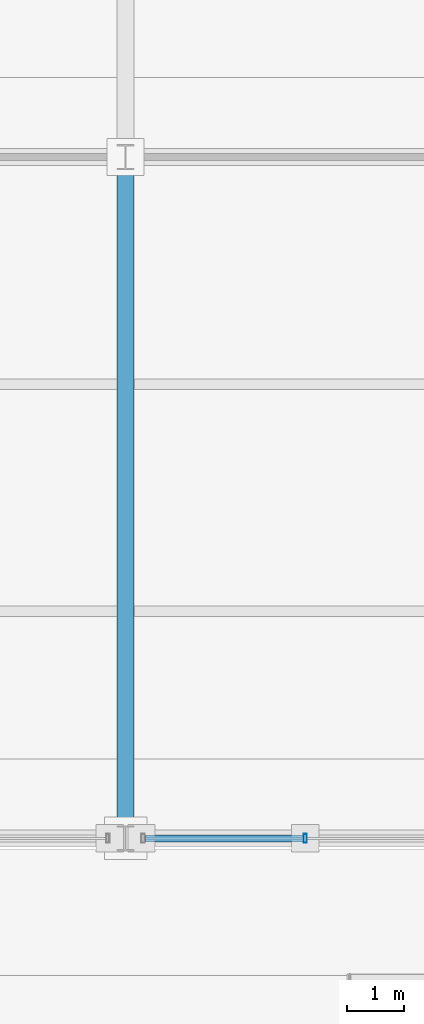
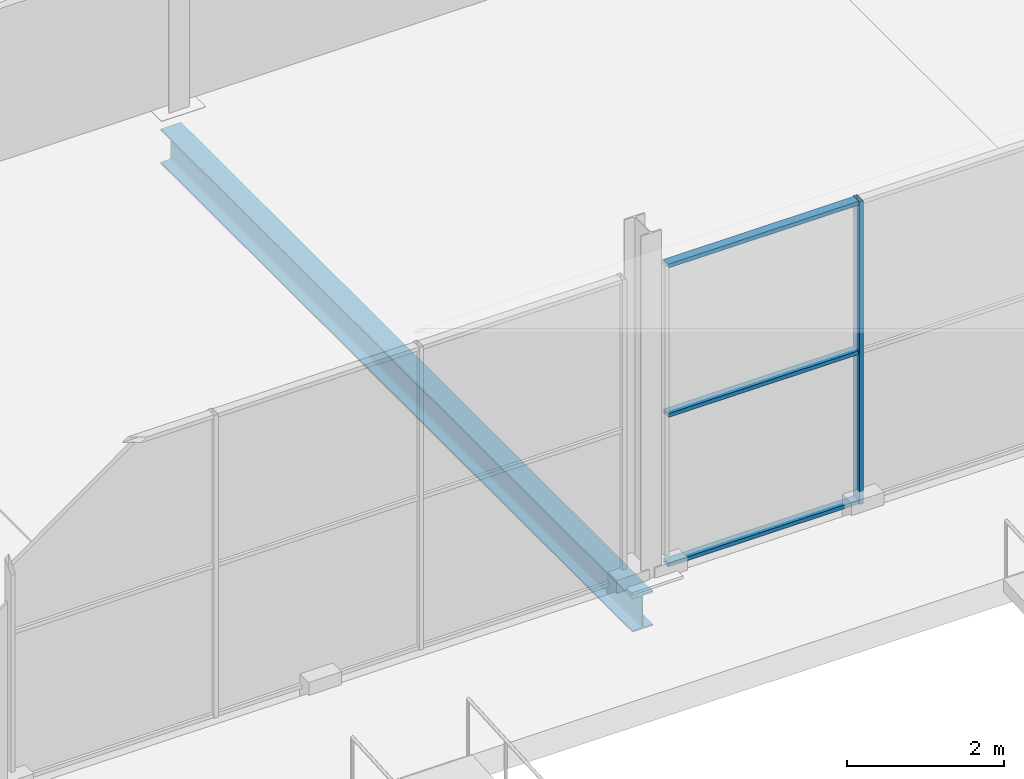
# One storey, part 36 of 196: 4 members, 1 beam, 1 element without a shape of its own.
"""IFC4 building model written with IfcOpenShell, lengths in metres."""

from ifc_helpers import new_model, si_unit, direction, frame, origin, origin_2d, place, context, subcontext, project, spatial, hollow_rectangle, i_section, extrude, material, material_profile, profile_set, type_object, element, aggregate, save


model = new_model("IFC4")

# Units and contexts
model_context = context("Model", 3, precision=1e-05, world=origin(), true_north=direction((0.0, 1.0)))
body_context = subcontext(model_context, "Body", "Model", "MODEL_VIEW")
ifc_project = project(units=[si_unit("LENGTHUNIT", "METRE"), si_unit("AREAUNIT", "SQUARE_METRE"), si_unit("VOLUMEUNIT", "CUBIC_METRE"), si_unit("PLANEANGLEUNIT", "RADIAN"), si_unit("MASSUNIT", "GRAM", prefix="KILO")], contexts=[model_context])

# Site, building, storey
site_placement = place(None, origin())
site = spatial("IfcSite", under=ifc_project, at=site_placement, CompositionType="ELEMENT")
building_placement = place(site_placement, origin())
building = spatial("IfcBuilding", under=site, at=building_placement, Name="Merenkruunu Market Hall", CompositionType="ELEMENT")
storey_placement = place(building_placement, origin())
storey = spatial("IfcBuildingStorey", under=building, at=storey_placement, Name="L00", CompositionType="ELEMENT", Elevation=0.0)

# Curtain wall, members
ifc_material_1 = material(Name="Powder-coated aluminium", Category="aluminium")
curtain_wall_type = type_object("IfcCurtainWallType", Name="Glazed Curtain Wall CW06", PredefinedType="USERDEFINED", material=ifc_material_1)
curtain_wall_placement = place(storey_placement, origin())
curtain_wall = element("IfcCurtainWall", 1, at=curtain_wall_placement, inside=storey, type_object=curtain_wall_type, Name="CW-L00-CWM01-031", ObjectType="GLAZED_FACADE", PredefinedType="USERDEFINED")
ifc_material_profile_1 = material_profile(ifc_material_1, hollow_rectangle(XDim=0.06005859375, YDim=0.159912109375, WallThickness=0.00390625, at=origin_2d()), Name="ALU 60x160x4")
ifc_profile_set_1 = profile_set([ifc_material_profile_1], Name="Powder-coated aluminium")
member_type_1 = type_object("IfcMemberType", Name="Curtain Wall Mullion CWM01", PredefinedType="MULLION", material=ifc_profile_set_1)
member_1_placement = place(storey_placement, frame((41.56494140625, 15.60009765625, 0.0), z_axis=(0.0, 0.0, 1.0), x_axis=(-1.0, 0.0, 0.0)))
member_1 = element("IfcMember", 2, at=member_1_placement, type_object=member_type_1, Name="CW06 mullion 2", PredefinedType="MULLION", context=body_context, shape_type="SweptSolid", body=[
    extrude(hollow_rectangle(XDim=0.06005859375, YDim=0.159912109375, WallThickness=0.00390625, at=origin_2d()), origin(), (0.0, 0.0, 1.0), 4.699951171875),
])
ifc_material_profile_2 = material_profile(ifc_material_1, hollow_rectangle(XDim=0.06005859375, YDim=0.125, WallThickness=0.00390625, at=origin_2d()), Name="ALU 60x125x4")
ifc_profile_set_2 = profile_set([ifc_material_profile_2], Name="Powder-coated aluminium")
member_type_2 = type_object("IfcMemberType", Name="Curtain Wall Transom CWT01", PredefinedType="USERDEFINED", material=ifc_profile_set_2)
member_2_placement = place(storey_placement, frame((41.534912109375, 15.60009765625, 0.030029296875), z_axis=(-1.0, 0.0, 0.0), x_axis=(0.0, 0.0, 1.0)))
member_2 = element("IfcMember", 3, at=member_2_placement, type_object=member_type_2, Name="CW06 transom 2.1", ObjectType="TRANSOM", PredefinedType="USERDEFINED", context=body_context, shape_type="SweptSolid", body=[
    extrude(hollow_rectangle(XDim=0.06005859375, YDim=0.125, WallThickness=0.00390625, at=origin_2d()), origin(), (0.0, 0.0, 1.0), 2.794921875),
])
member_3_placement = place(storey_placement, frame((41.534912109375, 15.60009765625, 2.35009765625), z_axis=(-1.0, 0.0, 0.0), x_axis=(0.0, 0.0, 1.0)))
member_3 = element("IfcMember", 4, at=member_3_placement, type_object=member_type_2, Name="CW06 transom 2.2", ObjectType="TRANSOM", PredefinedType="USERDEFINED", context=body_context, shape_type="SweptSolid", body=[
    extrude(hollow_rectangle(XDim=0.06005859375, YDim=0.125, WallThickness=0.00390625, at=origin_2d()), origin(), (0.0, 0.0, 1.0), 2.794921875),
])
member_4_placement = place(storey_placement, frame((41.534912109375, 15.60009765625, 4.669921875), z_axis=(-1.0, 0.0, 0.0), x_axis=(0.0, 0.0, 1.0)))
member_4 = element("IfcMember", 5, at=member_4_placement, type_object=member_type_2, Name="CW06 transom 2.3", ObjectType="TRANSOM", PredefinedType="USERDEFINED", context=body_context, shape_type="SweptSolid", body=[
    extrude(hollow_rectangle(XDim=0.06005859375, YDim=0.125, WallThickness=0.00390625, at=origin_2d()), origin(), (0.0, 0.0, 1.0), 2.794921875),
])
aggregate(curtain_wall, [member_1, member_2, member_3, member_4])

# Beam
ifc_material_2 = material(Name="Steel S355J2", Category="steel")
ifc_material_profile_3 = material_profile(ifc_material_2, i_section(OverallWidth=0.300048828125, OverallDepth=0.5400390625, WebThickness=0.012451171875, FlangeThickness=0.02392578125, FilletRadius=0.027099609375, at=origin_2d()), Name="HEA 550")
ifc_profile_set_3 = profile_set([ifc_material_profile_3], Name="Steel S355J2")
beam_type = type_object("IfcBeamType", Name="Primary Floor Girder B06", PredefinedType="BEAM", material=ifc_profile_set_3)
beam_placement = place(storey_placement, frame((38.39990234375, 15.60009765625, -0.610107421875), z_axis=(0.0, 1.0, 0.0), x_axis=(-1.0, 0.0, 0.0)))
element("IfcBeam", 6, at=beam_placement, inside=storey, type_object=beam_type, Name="BM-L00-B06-0167", PredefinedType="BEAM", context=body_context, shape_type="SweptSolid", body=[
    extrude(i_section(OverallWidth=0.300048828125, OverallDepth=0.5400390625, WebThickness=0.012451171875, FlangeThickness=0.02392578125, FilletRadius=0.027099609375, at=origin_2d()), origin(), (0.0, 0.0, 1.0), 12.0),
])

save(model, "model.ifc")
